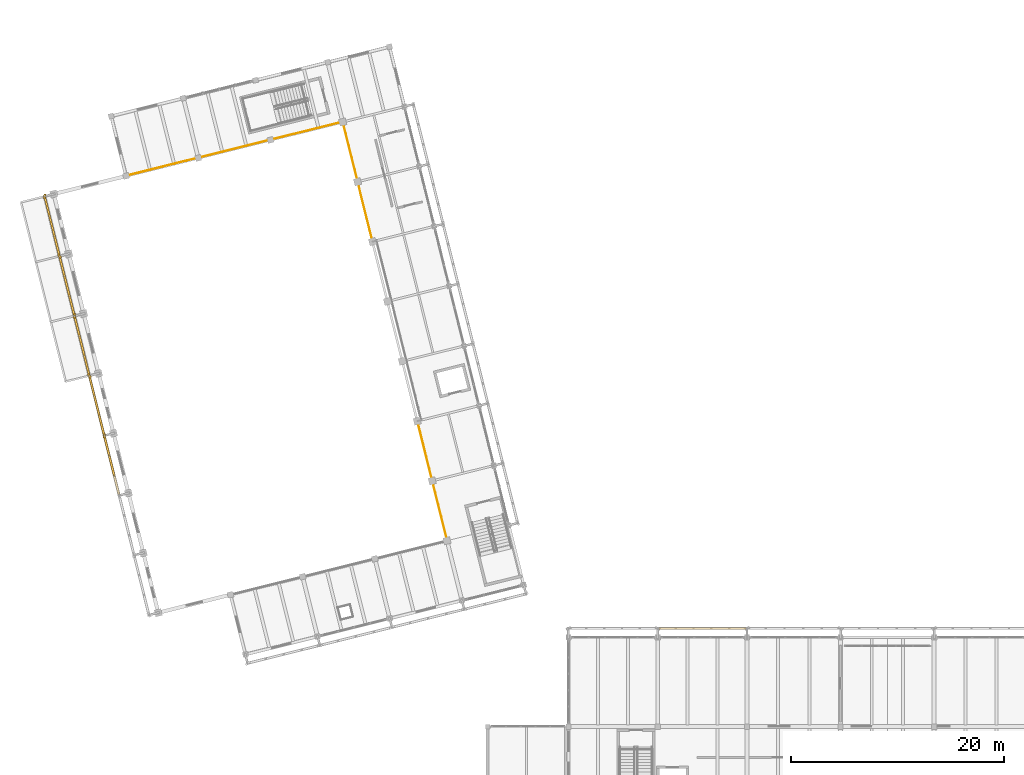
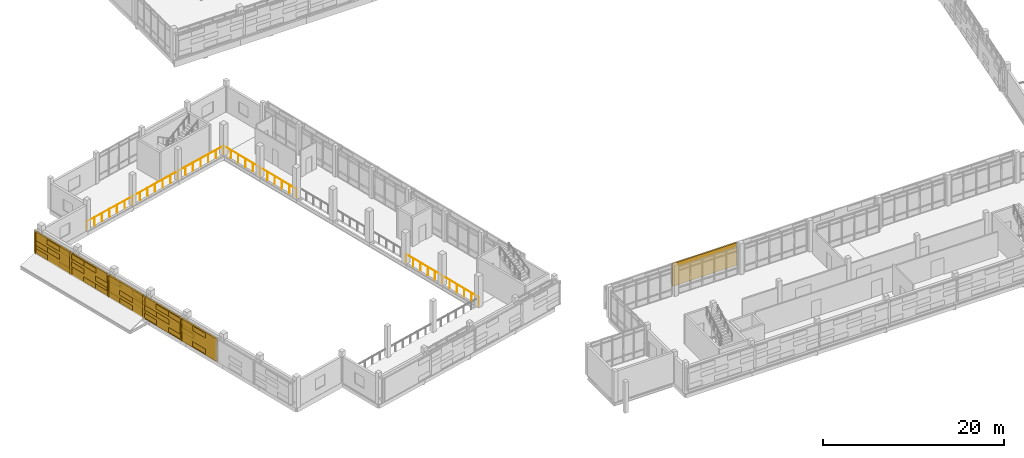
# One storey, part 123 of 137: 33 coverings, 6 shading devices, 3 railings.
"""IFC4 building model written with IfcOpenShell, lengths in metres."""

from ifc_helpers import new_model, si_unit, direction, frame, origin, origin_2d, place, context, subcontext, project, spatial, rectangle, circle, extrude, material, layer, layer_set, type_object, element, save


model = new_model("IFC4")

# Units and contexts
model_context = context("Model", 3, precision=1e-05, world=origin(), true_north=direction((0.0, 1.0)))
body_context = subcontext(model_context, "Body", "Model", "MODEL_VIEW")
ifc_project = project(units=[si_unit("LENGTHUNIT", "METRE"), si_unit("AREAUNIT", "SQUARE_METRE"), si_unit("VOLUMEUNIT", "CUBIC_METRE"), si_unit("PLANEANGLEUNIT", "RADIAN"), si_unit("MASSUNIT", "GRAM", prefix="KILO")], contexts=[model_context])

# Site, building, storey
site_placement = place(None, origin())
site = spatial("IfcSite", under=ifc_project, at=site_placement, CompositionType="ELEMENT")
building_placement = place(site_placement, origin())
building = spatial("IfcBuilding", under=site, at=building_placement, Name="Cinderway Yard Community Centre", CompositionType="ELEMENT")
storey_placement = place(building_placement, frame((0.0, 0.0, 4.800048828125)))
storey = spatial("IfcBuildingStorey", under=building, at=storey_placement, Name="L01", CompositionType="ELEMENT", Elevation=4.800048828125)

# Coverings
ifc_material_1 = material(Name="Brick Masonry", Category="masonry")
ifc_layer = layer(ifc_material_1, 0.18994140625, Name="Brick Masonry")
ifc_layer_set = layer_set([ifc_layer], Name="Brick Masonry")
covering_type = type_object("IfcCoveringType", Name="ENV-COV-BRK-SCREEN", PredefinedType="CLADDING", material=ifc_layer_set)
for number, where, z_axis, x_axis, name in (
    (1, (14.72705078125, 41.781982421875, 0.64990234375), (0.0, 0.0, 1.0), (0.173648177667, 0.984807753012, 0.0), "Deconstructivist folded brick fin 1016"),
    (2, (13.323974609375, 47.409912109375, 0.64990234375), (0.0, 0.0, 1.0), (-0.615661475326, 0.788010753607, 0.0), "Deconstructivist folded brick fin 1017"),
    (3, (11.9208984375, 53.037109375, 0.64990234375), (0.0, 0.0, 1.0), (0.173648177667, 0.984807753012, 0.0), "Deconstructivist folded brick fin 1018"),
    (4, (10.51806640625, 58.6650390625, 0.64990234375), (0.0, 0.0, 1.0), (-0.615661475326, 0.788010753607, 0.0), "Deconstructivist folded brick fin 1019"),
    (5, (9.114013671875, 64.29296875, 0.64990234375), (0.0, 0.0, 1.0), (0.173648177667, 0.984807753012, 0.0), "Deconstructivist folded brick fin 1020"),
):
    element("IfcCovering", number, at=place(storey_placement, frame(where, z_axis=z_axis, x_axis=x_axis)), inside=storey, type_object=covering_type, Name=name, PredefinedType="CLADDING", context=body_context, shape_type="SweptSolid", body=[
        extrude(rectangle(XDim=0.4599609375, YDim=0.199951171875, at=origin_2d()), origin(), (0.0, 0.0, 1.0), 3.050048828125),
    ])
for number, where, z_axis, x_axis, name in (
    (6, (15.427978515625, 38.968017578125, 0.7900390625), (0.0, 0.0, 1.0), (-0.2419218956, 0.970295726276, 0.0), "Open-bond perforated brick screen course 01034"),
    (7, (14.9609375, 40.843994140625, 1.85205078125), (0.0, 0.0, 1.0), (-0.2419218956, 0.970295726276, 0.0), "Open-bond perforated brick screen course 01036"),
    (8, (15.427978515625, 38.968017578125, 2.9140625), (0.0, 0.0, 1.0), (-0.2419218956, 0.970295726276, 0.0), "Open-bond perforated brick screen course 01037"),
    (9, (14.9609375, 40.843994140625, 2.9140625), (0.0, 0.0, 1.0), (-0.2419218956, 0.970295726276, 0.0), "Open-bond perforated brick screen course 01038"),
    (10, (14.492919921875, 42.719970703125, 0.7900390625), (0.0, 0.0, 1.0), (-0.2419218956, 0.970295726276, 0.0), "Open-bond perforated brick screen course 01039"),
    (11, (13.55810546875, 46.471923828125, 0.7900390625), (0.0, 0.0, 1.0), (-0.2419218956, 0.970295726276, 0.0), "Open-bond perforated brick screen course 01040"),
    (12, (14.02587890625, 44.595947265625, 1.85205078125), (0.0, 0.0, 1.0), (-0.2419218956, 0.970295726276, 0.0), "Open-bond perforated brick screen course 01041"),
    (13, (13.55810546875, 46.471923828125, 1.85205078125), (0.0, 0.0, 1.0), (-0.2419218956, 0.970295726276, 0.0), "Open-bond perforated brick screen course 01042"),
    (14, (14.492919921875, 42.719970703125, 2.9140625), (0.0, 0.0, 1.0), (-0.2419218956, 0.970295726276, 0.0), "Open-bond perforated brick screen course 01043"),
    (15, (14.02587890625, 44.595947265625, 2.9140625), (0.0, 0.0, 1.0), (-0.2419218956, 0.970295726276, 0.0), "Open-bond perforated brick screen course 01044"),
    (16, (12.6220703125, 50.22412109375, 0.7900390625), (0.0, 0.0, 1.0), (-0.2419218956, 0.970295726276, 0.0), "Open-bond perforated brick screen course 01045"),
    (17, (12.155029296875, 52.09912109375, 0.7900390625), (0.0, 0.0, 1.0), (-0.2419218956, 0.970295726276, 0.0), "Open-bond perforated brick screen course 01046"),
    (18, (13.090087890625, 48.347900390625, 1.85205078125), (0.0, 0.0, 1.0), (-0.2419218956, 0.970295726276, 0.0), "Open-bond perforated brick screen course 01047"),
    (19, (12.6220703125, 50.22412109375, 1.85205078125), (0.0, 0.0, 1.0), (-0.2419218956, 0.970295726276, 0.0), "Open-bond perforated brick screen course 01048"),
    (20, (13.090087890625, 48.347900390625, 2.9140625), (0.0, 0.0, 1.0), (-0.2419218956, 0.970295726276, 0.0), "Open-bond perforated brick screen course 01049"),
    (21, (12.155029296875, 52.09912109375, 2.9140625), (0.0, 0.0, 1.0), (-0.2419218956, 0.970295726276, 0.0), "Open-bond perforated brick screen course 01050"),
    (22, (11.68701171875, 53.97509765625, 0.7900390625), (0.0, 0.0, 1.0), (-0.2419218956, 0.970295726276, 0.0), "Open-bond perforated brick screen course 01051"),
    (23, (11.219970703125, 55.85107421875, 0.7900390625), (0.0, 0.0, 1.0), (-0.2419218956, 0.970295726276, 0.0), "Open-bond perforated brick screen course 01052"),
    (24, (11.68701171875, 53.97509765625, 1.85205078125), (0.0, 0.0, 1.0), (-0.2419218956, 0.970295726276, 0.0), "Open-bond perforated brick screen course 01053"),
    (25, (10.751953125, 57.72705078125, 1.85205078125), (0.0, 0.0, 1.0), (-0.2419218956, 0.970295726276, 0.0), "Open-bond perforated brick screen course 01054"),
    (26, (11.219970703125, 55.85107421875, 2.9140625), (0.0, 0.0, 1.0), (-0.2419218956, 0.970295726276, 0.0), "Open-bond perforated brick screen course 01055"),
    (27, (10.751953125, 57.72705078125, 2.9140625), (0.0, 0.0, 1.0), (-0.2419218956, 0.970295726276, 0.0), "Open-bond perforated brick screen course 01056"),
    (28, (10.283935546875, 59.60302734375, 0.7900390625), (0.0, 0.0, 1.0), (-0.2419218956, 0.970295726276, 0.0), "Open-bond perforated brick screen course 01057"),
    (29, (9.347900390625, 63.35498046875, 0.7900390625), (0.0, 0.0, 1.0), (-0.2419218956, 0.970295726276, 0.0), "Open-bond perforated brick screen course 01058"),
    (30, (9.81591796875, 61.47900390625, 1.85205078125), (0.0, 0.0, 1.0), (-0.2419218956, 0.970295726276, 0.0), "Open-bond perforated brick screen course 01059"),
    (31, (9.347900390625, 63.35498046875, 1.85205078125), (0.0, 0.0, 1.0), (-0.2419218956, 0.970295726276, 0.0), "Open-bond perforated brick screen course 01060"),
    (32, (10.283935546875, 59.60302734375, 2.9140625), (0.0, 0.0, 1.0), (-0.2419218956, 0.970295726276, 0.0), "Open-bond perforated brick screen course 01061"),
    (33, (9.81591796875, 61.47900390625, 2.9140625), (0.0, 0.0, 1.0), (-0.2419218956, 0.970295726276, 0.0), "Open-bond perforated brick screen course 01062"),
):
    element("IfcCovering", number, at=place(storey_placement, frame(where, z_axis=z_axis, x_axis=x_axis)), inside=storey, type_object=covering_type, Name=name, PredefinedType="CLADDING", context=body_context, shape_type="SweptSolid", body=[
        extrude(rectangle(XDim=2.012939453125, YDim=0.18994140625, at=origin_2d()), origin(), (0.0, 0.0, 1.0), 0.64599609375),
    ])

# Shading devices
shading_device_type_1 = type_object("IfcShadingDeviceType", Name="ENV-SHD-BRICKSCREEN-A", PredefinedType="USERDEFINED", material=ifc_material_1)
shading_device_1_placement = place(storey_placement, frame((71.0, 23.64990234375, 0.64990234375), z_axis=(0.0, 0.0, 1.0), x_axis=(1.0, 0.0, 0.0)))
element("IfcShadingDevice", 34, at=shading_device_1_placement, inside=storey, type_object=shading_device_type_1, Name="V3 Courtyard Perforated Brick Screen 0609", ObjectType="PERFORATED BRICK SCREEN", PredefinedType="USERDEFINED", context=body_context, shape_type="SweptSolid", body=[
    extrude(rectangle(XDim=8.199951171875, YDim=0.18994140625, at=origin_2d()), origin(), (0.0, 0.0, 1.0), 3.050048828125),
])
shading_device_type_2 = type_object("IfcShadingDeviceType", Name="ENV-SHD-BRICKSCREEN-B", PredefinedType="USERDEFINED", material=ifc_material_1)
for number, where, z_axis, x_axis, name in (
    (35, (15.427978515625, 38.968017578125, 0.64990234375), (0.0, 0.0, 1.0), (-0.2419218956, 0.970295726276, 0.0), "Main Hall West Perforated Brick Screen 0758"),
    (36, (14.02587890625, 44.595947265625, 0.64990234375), (0.0, 0.0, 1.0), (-0.2419218956, 0.970295726276, 0.0), "Main Hall West Perforated Brick Screen 0764"),
):
    element("IfcShadingDevice", number, at=place(storey_placement, frame(where, z_axis=z_axis, x_axis=x_axis)), inside=storey, type_object=shading_device_type_2, Name=name, ObjectType="PERFORATED BRICK SCREEN", PredefinedType="USERDEFINED", context=body_context, shape_type="SweptSolid", body=[
        extrude(rectangle(XDim=5.60009765625, YDim=0.18994140625, at=origin_2d()), origin(), (0.0, 0.0, 1.0), 3.050048828125),
    ])
shading_device_2_placement = place(storey_placement, frame((12.6220703125, 50.22412109375, 0.64990234375), z_axis=(0.0, 0.0, 1.0), x_axis=(-0.2419218956, 0.970295726276, 0.0)))
element("IfcShadingDevice", 37, at=shading_device_2_placement, inside=storey, type_object=shading_device_type_2, Name="Main Hall West Perforated Brick Screen 0770", ObjectType="PERFORATED BRICK SCREEN", PredefinedType="USERDEFINED", context=body_context, shape_type="SweptSolid", body=[
    extrude(rectangle(XDim=5.59912109375, YDim=0.18994140625, at=origin_2d()), origin(), (0.0, 0.0, 1.0), 3.050048828125),
])
for number, where, z_axis, x_axis, name in (
    (38, (11.219970703125, 55.85107421875, 0.64990234375), (0.0, 0.0, 1.0), (-0.2419218956, 0.970295726276, 0.0), "Main Hall West Perforated Brick Screen 0776"),
    (39, (9.81591796875, 61.47900390625, 0.64990234375), (0.0, 0.0, 1.0), (-0.2419218956, 0.970295726276, 0.0), "Main Hall West Perforated Brick Screen 0782"),
):
    element("IfcShadingDevice", number, at=place(storey_placement, frame(where, z_axis=z_axis, x_axis=x_axis)), inside=storey, type_object=shading_device_type_2, Name=name, ObjectType="PERFORATED BRICK SCREEN", PredefinedType="USERDEFINED", context=body_context, shape_type="SweptSolid", body=[
        extrude(rectangle(XDim=5.60009765625, YDim=0.18994140625, at=origin_2d()), origin(), (0.0, 0.0, 1.0), 3.050048828125),
    ])

# Railings
ifc_material_2 = material(Name="Painted Galvanised Steel", Category="steel")
railing_type = type_object("IfcRailingType", Name="INT-RAL-BAL112", PredefinedType="BALUSTRADE", material=ifc_material_2)
railing_1_placement = place(storey_placement, frame((46.9970703125, 31.89599609375, 0.0)))
element("IfcRailing", 40, at=railing_1_placement, inside=storey, type_object=railing_type, Name="Main Hall Balcony Guard L01 001", PredefinedType="BALUSTRADE", context=body_context, shape_type="SweptSolid", body=[
    extrude(circle(Radius=0.02392578125, at=origin_2d()), frame((0.0, 0.0, 1.09619140625), z_axis=(-0.241921480834, 0.970295829689, 0.0), x_axis=(-0.970295829689, -0.241921480834, 0.0)), (0.0, 0.0, 1.0), 11.599365234375),
    extrude(circle(Radius=0.02099609375, at=origin_2d()), origin(), (0.0, 0.0, 1.0), 1.072021484375),
    extrude(circle(Radius=0.02099609375, at=origin_2d()), frame((-0.280517578125, 1.12548828125, 0.0)), (0.0, 0.0, 1.0), 1.072021484375),
    extrude(circle(Radius=0.02099609375, at=origin_2d()), frame((-0.561279296875, 2.2509765625, 0.0)), (0.0, 0.0, 1.0), 1.072021484375),
    extrude(circle(Radius=0.02099609375, at=origin_2d()), frame((-0.841796875, 3.37646484375, 0.0)), (0.0, 0.0, 1.0), 1.072021484375),
    extrude(circle(Radius=0.02099609375, at=origin_2d()), frame((-1.12255859375, 4.501953125, 0.0)), (0.0, 0.0, 1.0), 1.072021484375),
    extrude(circle(Radius=0.02099609375, at=origin_2d()), frame((-1.403076171875, 5.62744140625, 0.0)), (0.0, 0.0, 1.0), 1.072021484375),
    extrude(circle(Radius=0.02099609375, at=origin_2d()), frame((-1.68359375, 6.7529296875, 0.0)), (0.0, 0.0, 1.0), 1.072021484375),
    extrude(circle(Radius=0.02099609375, at=origin_2d()), frame((-1.96435546875, 7.87841796875, 0.0)), (0.0, 0.0, 1.0), 1.072021484375),
    extrude(circle(Radius=0.02099609375, at=origin_2d()), frame((-2.244873046875, 9.00390625, 0.0)), (0.0, 0.0, 1.0), 1.072021484375),
    extrude(circle(Radius=0.02099609375, at=origin_2d()), frame((-2.525634765625, 10.12939453125, 0.0)), (0.0, 0.0, 1.0), 1.072021484375),
    extrude(circle(Radius=0.02099609375, at=origin_2d()), frame((-2.80615234375, 11.2548828125, 0.0)), (0.0, 0.0, 1.0), 1.072021484375),
])
railing_2_placement = place(storey_placement, frame((39.98095703125, 60.033935546875, 0.0)))
element("IfcRailing", 41, at=railing_2_placement, inside=storey, type_object=railing_type, Name="Main Hall Balcony Guard L01 005", PredefinedType="BALUSTRADE", context=body_context, shape_type="SweptSolid", body=[
    extrude(circle(Radius=0.02392578125, at=origin_2d()), frame((0.0, 0.0, 1.09619140625), z_axis=(-0.241876965978, 0.970306927384, 0.0), x_axis=(-0.970306927384, -0.241876965978, 0.0)), (0.0, 0.0, 1.0), 11.6005859375),
    extrude(circle(Radius=0.02099609375, at=origin_2d()), origin(), (0.0, 0.0, 1.0), 1.072021484375),
    extrude(circle(Radius=0.02099609375, at=origin_2d()), frame((-0.280517578125, 1.12548828125, 0.0)), (0.0, 0.0, 1.0), 1.072021484375),
    extrude(circle(Radius=0.02099609375, at=origin_2d()), frame((-0.561279296875, 2.251220703125, 0.0)), (0.0, 0.0, 1.0), 1.072021484375),
    extrude(circle(Radius=0.02099609375, at=origin_2d()), frame((-0.841796875, 3.376953125, 0.0)), (0.0, 0.0, 1.0), 1.072021484375),
    extrude(circle(Radius=0.02099609375, at=origin_2d()), frame((-1.122314453125, 4.50244140625, 0.0)), (0.0, 0.0, 1.0), 1.072021484375),
    extrude(circle(Radius=0.02099609375, at=origin_2d()), frame((-1.40283203125, 5.6279296875, 0.0)), (0.0, 0.0, 1.0), 1.072021484375),
    extrude(circle(Radius=0.02099609375, at=origin_2d()), frame((-1.68359375, 6.753662109375, 0.0)), (0.0, 0.0, 1.0), 1.072021484375),
    extrude(circle(Radius=0.02099609375, at=origin_2d()), frame((-1.964111328125, 7.879150390625, 0.0)), (0.0, 0.0, 1.0), 1.072021484375),
    extrude(circle(Radius=0.02099609375, at=origin_2d()), frame((-2.24462890625, 9.0048828125, 0.0)), (0.0, 0.0, 1.0), 1.072021484375),
    extrude(circle(Radius=0.02099609375, at=origin_2d()), frame((-2.525390625, 10.13037109375, 0.0)), (0.0, 0.0, 1.0), 1.072021484375),
    extrude(circle(Radius=0.02099609375, at=origin_2d()), frame((-2.805908203125, 11.256103515625, 0.0)), (0.0, 0.0, 1.0), 1.072021484375),
])
railing_3_placement = place(storey_placement, frame((16.77490234375, 66.22412109375, 0.0)))
element("IfcRailing", 42, at=railing_3_placement, inside=storey, type_object=railing_type, Name="Choir Balcony Guard L01 007", PredefinedType="BALUSTRADE", context=body_context, shape_type="SweptSolid", body=[
    extrude(circle(Radius=0.02392578125, at=origin_2d()), frame((0.0, 0.0, 1.09619140625), z_axis=(0.970300952451, 0.241900933593, 0.0), x_axis=(-0.241900933593, 0.970300952451, 0.0)), (0.0, 0.0, 1.0), 20.999755859375),
    extrude(circle(Radius=0.02099609375, at=origin_2d()), origin(), (0.0, 0.0, 1.0), 1.072021484375),
    extrude(circle(Radius=0.02099609375, at=origin_2d()), frame((1.132080078125, 0.2822265625, 0.0)), (0.0, 0.0, 1.0), 1.072021484375),
    extrude(circle(Radius=0.02099609375, at=origin_2d()), frame((2.263916015625, 0.564453125, 0.0)), (0.0, 0.0, 1.0), 1.072021484375),
    extrude(circle(Radius=0.02099609375, at=origin_2d()), frame((3.39599609375, 0.8466796875, 0.0)), (0.0, 0.0, 1.0), 1.072021484375),
    extrude(circle(Radius=0.02099609375, at=origin_2d()), frame((4.528076171875, 1.12890625, 0.0)), (0.0, 0.0, 1.0), 1.072021484375),
    extrude(circle(Radius=0.02099609375, at=origin_2d()), frame((5.659912109375, 1.4111328125, 0.0)), (0.0, 0.0, 1.0), 1.072021484375),
    extrude(circle(Radius=0.02099609375, at=origin_2d()), frame((6.7919921875, 1.693359375, 0.0)), (0.0, 0.0, 1.0), 1.072021484375),
    extrude(circle(Radius=0.02099609375, at=origin_2d()), frame((7.924072265625, 1.9755859375, 0.0)), (0.0, 0.0, 1.0), 1.072021484375),
    extrude(circle(Radius=0.02099609375, at=origin_2d()), frame((9.055908203125, 2.2578125, 0.0)), (0.0, 0.0, 1.0), 1.072021484375),
    extrude(circle(Radius=0.02099609375, at=origin_2d()), frame((10.18798828125, 2.5400390625, 0.0)), (0.0, 0.0, 1.0), 1.072021484375),
    extrude(circle(Radius=0.02099609375, at=origin_2d()), frame((11.320068359375, 2.822021484375, 0.0)), (0.0, 0.0, 1.0), 1.072021484375),
    extrude(circle(Radius=0.02099609375, at=origin_2d()), frame((12.451904296875, 3.104248046875, 0.0)), (0.0, 0.0, 1.0), 1.072021484375),
    extrude(circle(Radius=0.02099609375, at=origin_2d()), frame((13.583984375, 3.386474609375, 0.0)), (0.0, 0.0, 1.0), 1.072021484375),
    extrude(circle(Radius=0.02099609375, at=origin_2d()), frame((14.716064453125, 3.668701171875, 0.0)), (0.0, 0.0, 1.0), 1.072021484375),
    extrude(circle(Radius=0.02099609375, at=origin_2d()), frame((15.847900390625, 3.950927734375, 0.0)), (0.0, 0.0, 1.0), 1.072021484375),
    extrude(circle(Radius=0.02099609375, at=origin_2d()), frame((16.97998046875, 4.233154296875, 0.0)), (0.0, 0.0, 1.0), 1.072021484375),
    extrude(circle(Radius=0.02099609375, at=origin_2d()), frame((18.112060546875, 4.515380859375, 0.0)), (0.0, 0.0, 1.0), 1.072021484375),
    extrude(circle(Radius=0.02099609375, at=origin_2d()), frame((19.243896484375, 4.797607421875, 0.0)), (0.0, 0.0, 1.0), 1.072021484375),
    extrude(circle(Radius=0.02099609375, at=origin_2d()), frame((20.3759765625, 5.079833984375, 0.0)), (0.0, 0.0, 1.0), 1.072021484375),
])

save(model, "model.ifc")
